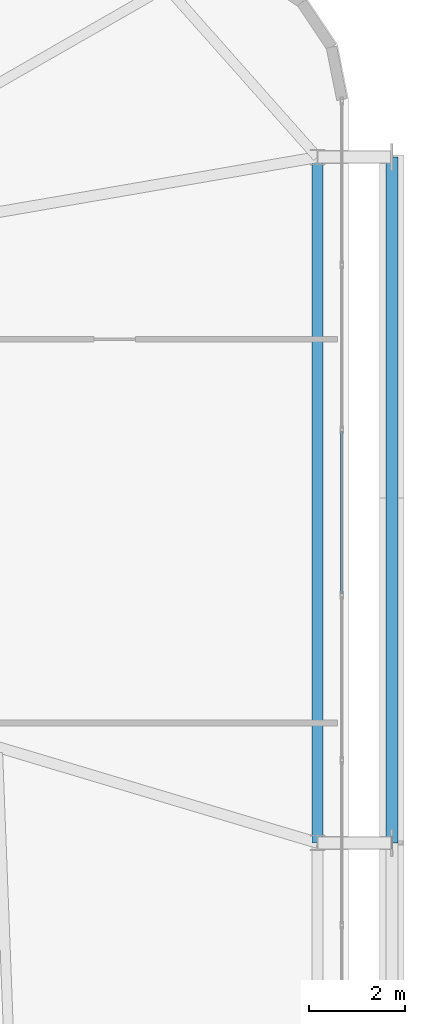
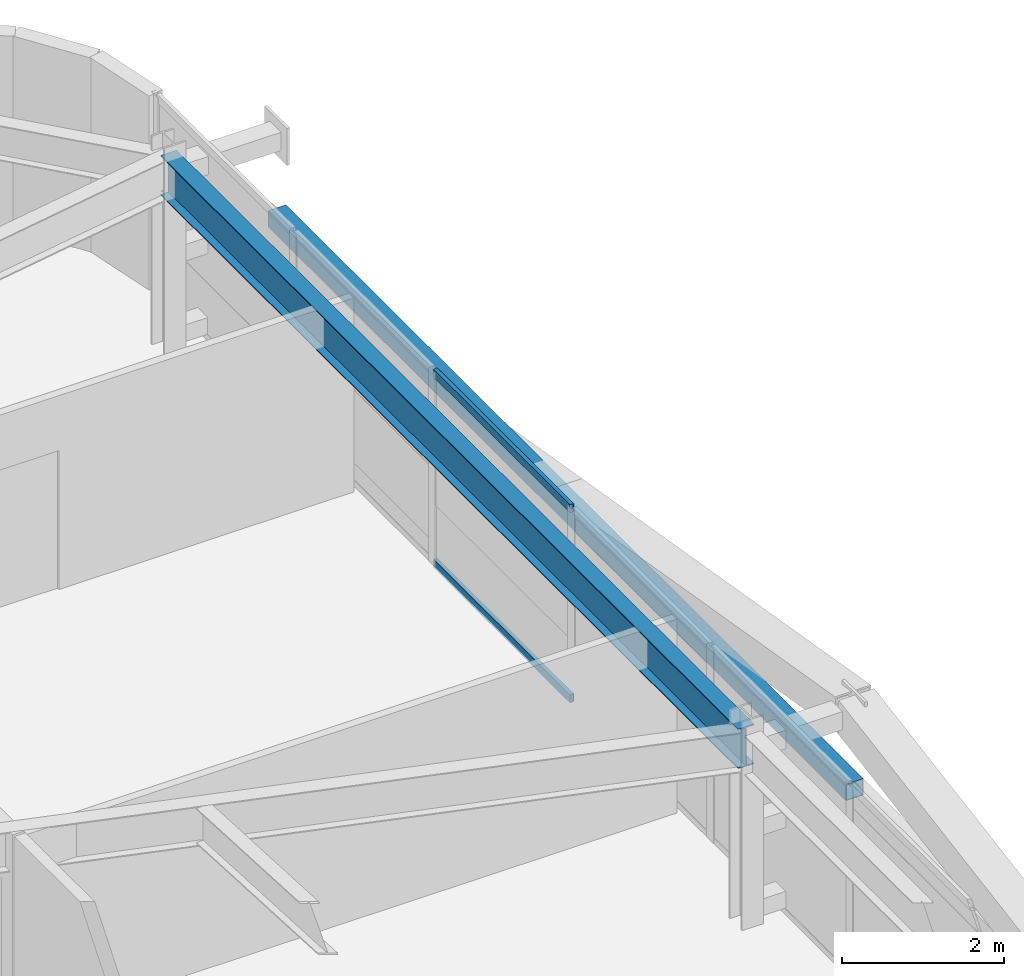
# One storey, part 31 of 58: 3 members, 1 beam, 1 element without a shape of its own.
"""IFC4 building model written with IfcOpenShell, lengths in metres."""

from ifc_helpers import new_model, si_unit, direction, frame, origin, origin_2d, place, context, subcontext, project, spatial, hollow_rectangle, i_section, extrude, source, transform, mapped, material, layer, layer_set, material_profile, profile_set, type_object, element, aggregate, save


model = new_model("IFC4")

# Units and contexts
model_context = context("Model", 3, precision=1e-05, world=origin(), true_north=direction((0.0, 1.0)))
body_context = subcontext(model_context, "Body", "Model", "MODEL_VIEW")
ifc_project = project(units=[si_unit("LENGTHUNIT", "METRE"), si_unit("AREAUNIT", "SQUARE_METRE"), si_unit("VOLUMEUNIT", "CUBIC_METRE"), si_unit("PLANEANGLEUNIT", "RADIAN"), si_unit("MASSUNIT", "GRAM", prefix="KILO")], contexts=[model_context])

# Site, building, storey
site_placement = place(None, origin())
site = spatial("IfcSite", under=ifc_project, at=site_placement, CompositionType="ELEMENT")
building_placement = place(site_placement, origin())
building = spatial("IfcBuilding", under=site, at=building_placement, Name="Taldren Reach Tower", CompositionType="ELEMENT")
storey_placement = place(building_placement, frame((0.0, 0.0, 35.699951171875)))
storey = spatial("IfcBuildingStorey", under=building, at=storey_placement, Name="L10", CompositionType="ELEMENT", Elevation=35.699951171875)

# Beam
ifc_material_1 = material(Name="Steel Gr 350 (350PLUS)", Category="steel")
ifc_material_profile_1 = material_profile(ifc_material_1, i_section(OverallWidth=0.22802734375, OverallDepth=0.60205078125, WebThickness=0.010498046875, FlangeThickness=0.014892578125, at=origin_2d()), Name="610UB101")
ifc_profile_set_1 = profile_set([ifc_material_profile_1], Name="Steel Gr 350 (350PLUS)")
beam_type = type_object("IfcBeamType", Name="BM-UB610B", PredefinedType="BEAM", material=ifc_profile_set_1)
shared_shape_1 = source(origin(), body_context, "Body", "SweptSolid", [
    extrude(i_section(OverallWidth=0.22802734375, OverallDepth=0.60205078125, WebThickness=0.010498046875, FlangeThickness=0.014892578125, at=origin_2d()), origin(), (0.0, 0.0, 1.0), 14.300048828125),
])
beam_placement = place(storey_placement, frame((64.35009765625, 20.0, 2.629150390625), z_axis=(0.0, 1.0, 0.0), x_axis=(-1.0, 0.0, 0.0)))
element("IfcBeam", 1, at=beam_placement, inside=storey, type_object=beam_type, Name="Perimeter gable girder B1 E2-E3 L10", PredefinedType="BEAM", context=body_context, shape_type="MappedRepresentation", body=[
    mapped(shared_shape_1, transform((0.0, 0.0, 0.0), scale=1.0)),
])

# Member
ifc_material_2 = material(Name="Steel Gr 350 (C350L0)", Category="steel")
ifc_material_profile_2 = material_profile(ifc_material_2, hollow_rectangle(XDim=0.25, YDim=0.25, WallThickness=0.010009765625, at=origin_2d()), Name="250x250x10.0SHS")
ifc_profile_set_2 = profile_set([ifc_material_profile_2], Name="Steel Gr 350 (C350L0)")
member_type_1 = type_object("IfcMemberType", Name="MB-POST250", PredefinedType="POST", material=ifc_profile_set_2)
shared_shape_2 = source(origin(), body_context, "Body", "SweptSolid", [
    extrude(hollow_rectangle(XDim=0.25, YDim=0.25, WallThickness=0.010009765625, at=origin_2d()), origin(), (0.0, 0.0, 1.0), 14.300048828125),
])
member_1_placement = place(storey_placement, frame((65.89990234375, 20.0, 1.43505859375), z_axis=(0.0, 1.0, 0.0), x_axis=(-1.0, 0.0, 0.0)))
element("IfcMember", 2, at=member_1_placement, inside=storey, type_object=member_type_1, Name="Exoskeleton mid-height ring chord B1-E2 L10", PredefinedType="POST", context=body_context, shape_type="MappedRepresentation", body=[
    mapped(shared_shape_2, transform((0.0, 0.0, 0.0), scale=1.0)),
])

# Curtain wall, members
ifc_material_3 = material(Name="Aluminium and Low-E Glass Unitised System", Category="aluminium")
ifc_layer = layer(ifc_material_3, 0.159912109375)
ifc_layer_set = layer_set([ifc_layer], Name="Aluminium and Low-E Glass Unitised System")
curtain_wall_type = type_object("IfcCurtainWallType", Name="CW-SYS-2", PredefinedType="NOTDEFINED", material=ifc_layer_set)
curtain_wall_placement = place(storey_placement, origin())
curtain_wall = element("IfcCurtainWall", 3, at=curtain_wall_placement, inside=storey, type_object=curtain_wall_type, Name="Unitised curtain wall CW-L10-E", PredefinedType="NOTDEFINED")
ifc_material_4 = material(Name="Anodised Aluminium 6063-T6", Category="aluminium")
ifc_material_profile_3 = material_profile(ifc_material_4, hollow_rectangle(XDim=0.054931640625, YDim=0.1201171875, WallThickness=0.0029296875, at=origin_2d()), Name="ALU-120x55x3RHS")
ifc_profile_set_3 = profile_set([ifc_material_profile_3], Name="Anodised Aluminium 6063-T6")
member_type_2 = type_object("IfcMemberType", Name="CW-TRN-135", PredefinedType="USERDEFINED", material=ifc_profile_set_3)
shared_shape_3 = source(origin(), body_context, "Body", "SweptSolid", [
    extrude(hollow_rectangle(XDim=0.054931640625, YDim=0.1201171875, WallThickness=0.0029296875, at=origin_2d()), origin(), (0.0, 0.0, 1.0), 3.37939453125),
])
member_2_placement = place(storey_placement, frame((64.860107421875, 25.19921875, 0.027587890625), z_axis=(0.0, 1.0, 0.0), x_axis=(-1.0, 0.0, 0.0)))
member_2 = element("IfcMember", 4, at=member_2_placement, type_object=member_type_2, Name="CW-2 transom 7.1", ObjectType="TRANSOM", PredefinedType="USERDEFINED", context=body_context, shape_type="MappedRepresentation", body=[
    mapped(shared_shape_3, transform((0.0, 0.0, 0.0), scale=1.0)),
])
member_3_placement = place(storey_placement, frame((64.860107421875, 25.19921875, 2.902587890625), z_axis=(0.0, 1.0, 0.0), x_axis=(-1.0, 0.0, 0.0)))
member_3 = element("IfcMember", 5, at=member_3_placement, type_object=member_type_2, Name="CW-2 transom 7.2", ObjectType="TRANSOM", PredefinedType="USERDEFINED", context=body_context, shape_type="MappedRepresentation", body=[
    mapped(shared_shape_3, transform((0.0, 0.0, 0.0), scale=1.0)),
])
aggregate(curtain_wall, [member_2, member_3])

save(model, "model.ifc")
